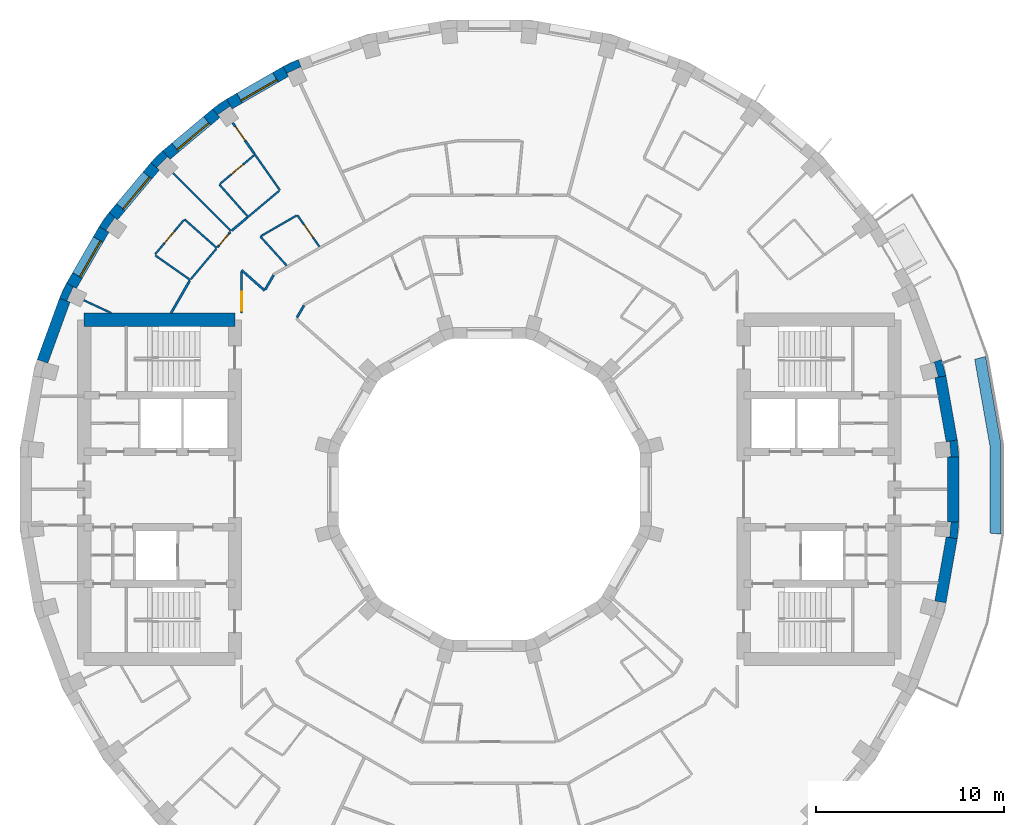
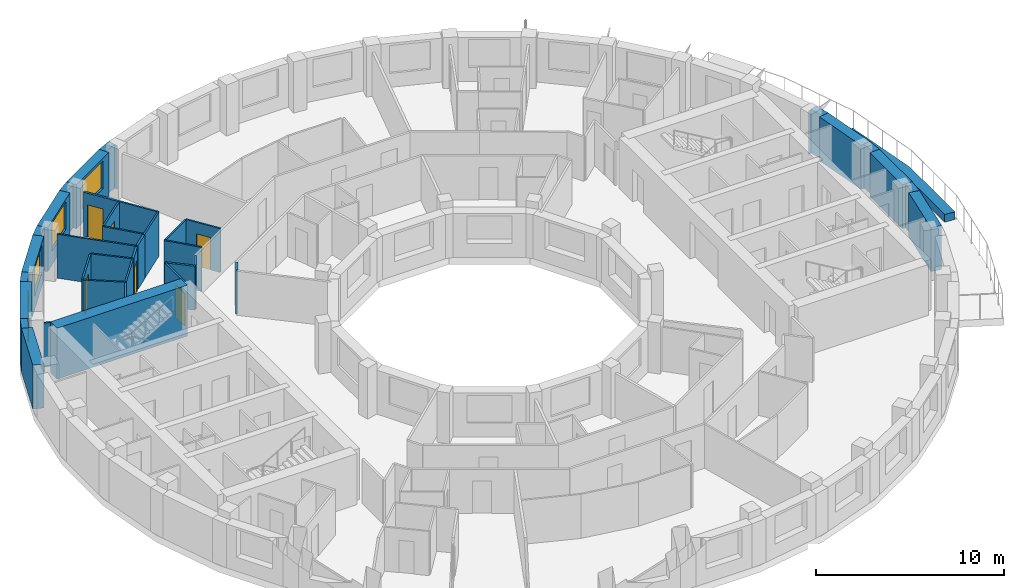
# One storey, part 7 of 11: 39 walls, 6 doors, 4 windows, 10 openings.
"""IFC4 building model written with IfcOpenShell, lengths in metres."""

from ifc_helpers import new_model, si_unit, direction, frame, frame_2d, origin, place, context, subcontext, project, spatial, polyline, rectangle, outline, extrude, material, layer, layer_set, type_object, element, fill, save


model = new_model("IFC4")

# Units and contexts
model_context = context("Model", 3, precision=1e-05, world=origin(), true_north=direction((0.0, 1.0)))
body_context = subcontext(model_context, "Body", "Model", "MODEL_VIEW")
ifc_project = project(units=[si_unit("LENGTHUNIT", "METRE"), si_unit("AREAUNIT", "SQUARE_METRE"), si_unit("VOLUMEUNIT", "CUBIC_METRE"), si_unit("PLANEANGLEUNIT", "RADIAN"), si_unit("MASSUNIT", "GRAM", prefix="KILO")], contexts=[model_context])

# Site, building, storey
site_placement = place(None, origin())
site = spatial("IfcSite", under=ifc_project, at=site_placement, CompositionType="ELEMENT")
building_placement = place(site_placement, origin())
building = spatial("IfcBuilding", under=site, at=building_placement, Name="Saqina Gate Tower", CompositionType="ELEMENT")
storey_placement = place(building_placement, frame((0.0, 0.0, 187.199951171875)))
storey = spatial("IfcBuildingStorey", under=building, at=storey_placement, Name="L53", CompositionType="ELEMENT", Elevation=187.199951171875)

# Walls
ifc_material_1 = material(Name="Brick masonry (buff)", Category="masonry")
wall_type_1 = type_object("IfcWallType", Name="BRICK PIER COPING BUFF", PredefinedType="SOLIDWALL", material=ifc_material_1)
wall_1_placement = place(storey_placement, origin())
element("IfcWall", 1, at=wall_1_placement, inside=storey, type_object=wall_type_1, Name="Pier cap L53 column 1", PredefinedType="SOLIDWALL", context=body_context, shape_type="SweptSolid", body=[
    extrude(outline(polyline([(24.90478515625, 1.724853515625), (24.825927734375, 2.6259765625), (24.235107421875, 2.521728515625), (24.421630859375, 2.5380859375), (24.491455078125, 1.7412109375), (24.304931640625, 1.724853515625), (24.90478515625, 1.724853515625)])), origin(), (0.0, 0.0, 1.0), 2.85009765625),
])
wall_2_placement = place(storey_placement, origin())
element("IfcWall", 2, at=wall_2_placement, inside=storey, type_object=wall_type_1, Name="Pier cap L53 column 2", PredefinedType="SOLIDWALL", context=body_context, shape_type="SweptSolid", body=[
    extrude(outline(polyline([(24.22705078125, 6.0234375), (23.992919921875, 6.897216796875), (23.428955078125, 6.69189453125), (23.610107421875, 6.740478515625), (23.81689453125, 5.967529296875), (23.635986328125, 5.919189453125), (24.22705078125, 6.0234375)])), origin(), (0.0, 0.0, 1.0), 2.85009765625),
])
wall_3_placement = place(storey_placement, origin())
element("IfcWall", 3, at=wall_3_placement, inside=storey, type_object=wall_type_1, Name="Pier cap L53 column 12", PredefinedType="SOLIDWALL", context=body_context, shape_type="SweptSolid", body=[
    extrude(outline(polyline([(-10.958740234375, 22.4306640625), (-10.65869140625, 21.9111328125), (-10.73779296875, 22.080810546875), (-10.0126953125, 22.4189453125), (-9.93359375, 22.249267578125), (-10.138916015625, 22.81298828125), (-10.958740234375, 22.4306640625)])), origin(), (0.0, 0.0, 1.0), 2.85009765625),
])
wall_4_placement = place(storey_placement, origin())
element("IfcWall", 4, at=wall_4_placement, inside=storey, type_object=wall_type_1, Name="Pier cap L53 column 13", PredefinedType="SOLIDWALL", context=body_context, shape_type="SweptSolid", body=[
    extrude(outline(polyline([(-13.9462890625, 20.705810546875), (-14.687255859375, 20.18701171875), (-14.301513671875, 19.727294921875), (-14.408935546875, 19.880859375), (-13.753662109375, 20.339599609375), (-13.646240234375, 20.186279296875), (-13.9462890625, 20.705810546875)])), origin(), (0.0, 0.0, 1.0), 2.85009765625),
])
wall_5_placement = place(storey_placement, origin())
element("IfcWall", 5, at=wall_5_placement, inside=storey, type_object=wall_type_1, Name="Pier cap L53 column 14", PredefinedType="SOLIDWALL", context=body_context, shape_type="SweptSolid", body=[
    extrude(outline(polyline([(-17.969482421875, 17.329833984375), (-17.510009765625, 16.944091796875), (-17.642333984375, 17.07666015625), (-17.07666015625, 17.642333984375), (-16.944091796875, 17.510009765625), (-17.329833984375, 17.969482421875), (-17.969482421875, 17.329833984375)])), origin(), (0.0, 0.0, 1.0), 2.85009765625),
])
wall_6_placement = place(storey_placement, origin())
element("IfcWall", 6, at=wall_6_placement, inside=storey, type_object=wall_type_1, Name="Pier cap L53 column 15", PredefinedType="SOLIDWALL", context=body_context, shape_type="SweptSolid", body=[
    extrude(outline(polyline([(-20.18701171875, 14.687255859375), (-20.705810546875, 13.9462890625), (-20.186279296875, 13.646240234375), (-20.339599609375, 13.753662109375), (-19.880859375, 14.408935546875), (-19.727294921875, 14.301513671875), (-20.18701171875, 14.687255859375)])), origin(), (0.0, 0.0, 1.0), 2.85009765625),
])
wall_7_placement = place(storey_placement, origin())
element("IfcWall", 7, at=wall_7_placement, inside=storey, type_object=wall_type_1, Name="Pier cap L53 column 16", PredefinedType="SOLIDWALL", context=body_context, shape_type="SweptSolid", body=[
    extrude(outline(polyline([(-22.81298828125, 10.138916015625), (-22.249267578125, 9.93359375), (-22.4189453125, 10.0126953125), (-22.080810546875, 10.73779296875), (-21.9111328125, 10.65869140625), (-22.4306640625, 10.958740234375), (-22.81298828125, 10.138916015625)])), origin(), (0.0, 0.0, 1.0), 2.85009765625),
])
wall_8_placement = place(storey_placement, origin())
element("IfcWall", 8, at=wall_8_placement, inside=storey, type_object=wall_type_1, Name="Pier cap L53 column 36", PredefinedType="SOLIDWALL", context=body_context, shape_type="SweptSolid", body=[
    extrude(outline(polyline([(24.825927734375, -2.6259765625), (24.90478515625, -1.724853515625), (24.304931640625, -1.724853515625), (24.491455078125, -1.7412109375), (24.421630859375, -2.5380859375), (24.235107421875, -2.521728515625), (24.825927734375, -2.6259765625)])), origin(), (0.0, 0.0, 1.0), 2.85009765625),
])

# Wall, opening, window
ifc_material_2 = material(Name="Brick masonry (buff)", Category="masonry")
ifc_layer_1 = layer(ifc_material_2, 0.60009765625)
ifc_layer_set_1 = layer_set([ifc_layer_1], Name="FW-BRICK-BUFF")
wall_type_2 = type_object("IfcWallType", Name="FW-BRICK-BUFF", PredefinedType="SOLIDWALL", material=ifc_layer_set_1)
wall_9_placement = place(storey_placement, frame((-10.80859375, 22.1708984375, 0.0), z_axis=(0.0, 0.0, 1.0), x_axis=(-0.86602648383, -0.499998129301, 0.0)))
wall_9 = element("IfcWall", 9, at=wall_9_placement, inside=storey, type_object=wall_type_2, Name="Facade wall L53 facet 12", PredefinedType="SOLIDWALL", context=body_context, shape_type="SweptSolid", body=[
    extrude(rectangle(XDim=3.44970703125, YDim=0.60009765625, at=frame_2d((1.724853515625, 0.0))), origin(), (0.0, 0.0, 1.0), 2.85009765625),
])
opening_1_placement = place(wall_9_placement, frame((0.625, 0.0, 0.89990234375)))
opening_1 = element("IfcOpeningElement", 10, at=opening_1_placement, cuts=wall_9, Name="Opening G15-W09", PredefinedType="OPENING", context=body_context, shape_type="SweptSolid", body=[
    extrude(rectangle(XDim=2.199951171875, YDim=1.800048828125, at=frame_2d((1.10009765625, 0.89990234375))), frame((0.0, 0.31201171875, 0.0), z_axis=(0.0, -1.0, 0.0), x_axis=(1.0, 0.0, 0.0)), (0.0, 0.0, 1.0), 0.6240234375),
])
ifc_material_3 = material(Name="Aluminium glazing", Category="aluminium")
window_type = type_object("IfcWindowType", Name="WN-C", PartitioningType="SINGLE_PANEL", PredefinedType="WINDOW", material=ifc_material_3)
window_1_placement = place(opening_1_placement, origin())
window_1 = element("IfcWindow", 11, at=window_1_placement, inside=storey, type_object=window_type, Name="Window L53 facet 12", OverallHeight=1.800048828125, OverallWidth=2.199951171875, PartitioningType="SINGLE_PANEL", PredefinedType="WINDOW", context=body_context, shape_type="SweptSolid", body=[
    extrude(rectangle(XDim=2.199951171875, YDim=1.800048828125, at=frame_2d((1.10009765625, 0.89990234375))), frame((0.0, 0.179931640625, 0.0), z_axis=(0.0, -1.0, 0.0), x_axis=(1.0, 0.0, 0.0)), (0.0, 0.0, 1.0), 0.06005859375),
])
fill(opening_1, window_1)

wall_10_placement = place(storey_placement, frame((-14.494384765625, 19.95703125, 0.0), z_axis=(0.0, 0.0, 1.0), x_axis=(-0.766058884809, -0.642770398358, 0.0)))
wall_10 = element("IfcWall", 12, at=wall_10_placement, inside=storey, type_object=wall_type_2, Name="Facade wall L53 facet 13", PredefinedType="SOLIDWALL", context=body_context, shape_type="SweptSolid", body=[
    extrude(rectangle(XDim=3.449462890625, YDim=0.60009765625, at=frame_2d((1.724609375, 0.0))), origin(), (0.0, 0.0, 1.0), 2.85009765625),
])
opening_2_placement = place(wall_10_placement, frame((0.625, 0.0, 0.89990234375)))
opening_2 = element("IfcOpeningElement", 13, at=opening_2_placement, cuts=wall_10, Name="Opening G15-W10", PredefinedType="OPENING", context=body_context, shape_type="SweptSolid", body=[
    extrude(rectangle(XDim=2.199951171875, YDim=1.800048828125, at=frame_2d((1.10009765625, 0.89990234375))), frame((0.0, 0.31201171875, 0.0), z_axis=(0.0, -1.0, 0.0), x_axis=(1.0, 0.0, 0.0)), (0.0, 0.0, 1.0), 0.6240234375),
])
window_2_placement = place(opening_2_placement, origin())
window_2 = element("IfcWindow", 14, at=window_2_placement, inside=storey, type_object=window_type, Name="Window L53 facet 13", OverallHeight=1.800048828125, OverallWidth=2.199951171875, PartitioningType="SINGLE_PANEL", PredefinedType="WINDOW", context=body_context, shape_type="SweptSolid", body=[
    extrude(rectangle(XDim=2.199951171875, YDim=1.800048828125, at=frame_2d((1.10009765625, 0.89990234375))), frame((0.0, 0.179931640625, 0.0), z_axis=(0.0, -1.0, 0.0), x_axis=(1.0, 0.0, 0.0)), (0.0, 0.0, 1.0), 0.06005859375),
])
fill(opening_2, window_2)

wall_11_placement = place(storey_placement, frame((-17.73974609375, 17.136962890625, 0.0), z_axis=(0.0, 0.0, 1.0), x_axis=(-0.642770398358, -0.766058884809, 0.0)))
wall_11 = element("IfcWall", 15, at=wall_11_placement, inside=storey, type_object=wall_type_2, Name="Facade wall L53 facet 14", PredefinedType="SOLIDWALL", context=body_context, shape_type="SweptSolid", body=[
    extrude(rectangle(XDim=3.449462890625, YDim=0.60009765625, at=frame_2d((1.724609375, 0.0))), origin(), (0.0, 0.0, 1.0), 2.85009765625),
])
opening_3_placement = place(wall_11_placement, frame((0.625, 0.0, 0.89990234375)))
opening_3 = element("IfcOpeningElement", 16, at=opening_3_placement, cuts=wall_11, Name="Opening G15-W11", PredefinedType="OPENING", context=body_context, shape_type="SweptSolid", body=[
    extrude(rectangle(XDim=2.199951171875, YDim=1.800048828125, at=frame_2d((1.10009765625, 0.89990234375))), frame((0.0, 0.31201171875, 0.0), z_axis=(0.0, -1.0, 0.0), x_axis=(1.0, 0.0, 0.0)), (0.0, 0.0, 1.0), 0.6240234375),
])
window_3_placement = place(opening_3_placement, origin())
window_3 = element("IfcWindow", 17, at=window_3_placement, inside=storey, type_object=window_type, Name="Window L53 facet 14", OverallHeight=1.800048828125, OverallWidth=2.199951171875, PartitioningType="SINGLE_PANEL", PredefinedType="WINDOW", context=body_context, shape_type="SweptSolid", body=[
    extrude(rectangle(XDim=2.199951171875, YDim=1.800048828125, at=frame_2d((1.10009765625, 0.89990234375))), frame((0.0, 0.179931640625, 0.0), z_axis=(0.0, -1.0, 0.0), x_axis=(1.0, 0.0, 0.0)), (0.0, 0.0, 1.0), 0.06005859375),
])
fill(opening_3, window_3)

wall_12_placement = place(storey_placement, frame((-20.446044921875, 13.796142578125, 0.0), z_axis=(0.0, 0.0, 1.0), x_axis=(-0.499998129301, -0.86602648383, 0.0)))
wall_12 = element("IfcWall", 18, at=wall_12_placement, inside=storey, type_object=wall_type_2, Name="Facade wall L53 facet 15", PredefinedType="SOLIDWALL", context=body_context, shape_type="SweptSolid", body=[
    extrude(rectangle(XDim=3.44970703125, YDim=0.60009765625, at=frame_2d((1.724853515625, 0.0))), origin(), (0.0, 0.0, 1.0), 2.85009765625),
])
opening_4_placement = place(wall_12_placement, frame((0.625, 0.0, 0.89990234375)))
opening_4 = element("IfcOpeningElement", 19, at=opening_4_placement, cuts=wall_12, Name="Opening G15-W12", PredefinedType="OPENING", context=body_context, shape_type="SweptSolid", body=[
    extrude(rectangle(XDim=2.199951171875, YDim=1.800048828125, at=frame_2d((1.10009765625, 0.89990234375))), frame((0.0, 0.31201171875, 0.0), z_axis=(0.0, -1.0, 0.0), x_axis=(1.0, 0.0, 0.0)), (0.0, 0.0, 1.0), 0.6240234375),
])
window_4_placement = place(opening_4_placement, origin())
window_4 = element("IfcWindow", 20, at=window_4_placement, inside=storey, type_object=window_type, Name="Window L53 facet 15", OverallHeight=1.800048828125, OverallWidth=2.199951171875, PartitioningType="SINGLE_PANEL", PredefinedType="WINDOW", context=body_context, shape_type="SweptSolid", body=[
    extrude(rectangle(XDim=2.199951171875, YDim=1.800048828125, at=frame_2d((1.10009765625, 0.89990234375))), frame((0.0, 0.179931640625, 0.0), z_axis=(0.0, -1.0, 0.0), x_axis=(1.0, 0.0, 0.0)), (0.0, 0.0, 1.0), 0.06005859375),
])
fill(opening_4, window_4)

# Walls
ifc_material_4 = material(Name="Glazed ceramic tile", Category="ceramic")
ifc_layer_2 = layer(ifc_material_4, 0.60009765625)
ifc_layer_set_2 = layer_set([ifc_layer_2], Name="FW-TILE")
wall_type_3 = type_object("IfcWallType", Name="FW-TILE", PredefinedType="SOLIDWALL", material=ifc_layer_set_2)
for number, where, z_axis, x_axis, name in (
    (21, (-22.531005859375, 10.0361328125, 0.0), (0.0, 0.0, 1.0), (-0.342032843455, -0.93968799822, 0.0), "Facade wall L53 facet 16"),
    (22, (24.60498046875, -1.724853515625, 0.0), (0.0, 0.0, 1.0), (0.0, 1.0, 0.0), "Facade wall L53 facet 36"),
):
    element("IfcWall", number, at=place(storey_placement, frame(where, z_axis=z_axis, x_axis=x_axis)), inside=storey, type_object=wall_type_3, Name=name, PredefinedType="SOLIDWALL", context=body_context, shape_type="SweptSolid", body=[
        extrude(rectangle(XDim=3.44970703125, YDim=0.60009765625, at=frame_2d((1.724853515625, 0.0))), origin(), (0.0, 0.0, 1.0), 2.85009765625),
    ])
ifc_material_5 = material(Name="Glazed ceramic tile (dark blue)", Category="ceramic")
ifc_layer_3 = layer(ifc_material_5, 0.60009765625)
ifc_layer_set_3 = layer_set([ifc_layer_3], Name="FW-TILE-CB")
wall_type_4 = type_object("IfcWallType", Name="FW-TILE-CB", PredefinedType="SOLIDWALL", material=ifc_layer_set_3)
wall_13_placement = place(storey_placement, frame((24.530517578125, 2.573974609375, 0.0), z_axis=(0.0, 0.0, 1.0), x_axis=(-0.173607684551, 0.984814892183, 0.0)))
element("IfcWall", 23, at=wall_13_placement, inside=storey, type_object=wall_type_4, Name="Facade wall L53 facet 1", PredefinedType="SOLIDWALL", context=body_context, shape_type="SweptSolid", body=[
    extrude(rectangle(XDim=3.44970703125, YDim=0.60009765625, at=frame_2d((1.724853515625, 0.0))), origin(), (0.0, 0.0, 1.0), 2.85009765625),
])
ifc_material_6 = material(Name="Glazed ceramic tile (white)", Category="ceramic")
ifc_layer_4 = layer(ifc_material_6, 0.60009765625)
ifc_layer_set_4 = layer_set([ifc_layer_4], Name="FW-TILE-WH")
wall_type_5 = type_object("IfcWallType", Name="FW-TILE-WH", PredefinedType="SOLIDWALL", material=ifc_layer_set_4)
wall_14_placement = place(storey_placement, frame((23.931640625, -5.97119140625, 0.0), z_axis=(0.0, 0.0, 1.0), x_axis=(0.173607684551, 0.984814892183, 0.0)))
element("IfcWall", 24, at=wall_14_placement, inside=storey, type_object=wall_type_5, Name="Facade wall L53 facet 35", PredefinedType="SOLIDWALL", context=body_context, shape_type="SweptSolid", body=[
    extrude(rectangle(XDim=3.44970703125, YDim=0.60009765625, at=frame_2d((1.724853515625, 0.0))), origin(), (0.0, 0.0, 1.0), 2.85009765625),
])
ifc_material_7 = material(Name="Gypsum board on steel studs, 100 mm", Category="steel")
ifc_layer_5 = layer(ifc_material_7, 0.10009765625)
ifc_layer_set_5 = layer_set([ifc_layer_5], Name="PARTITION 100")
wall_type_6 = type_object("IfcWallType", Name="PARTITION 100", PredefinedType="PARTITIONING", material=ifc_layer_set_5)
wall_15_placement = place(storey_placement, frame((-12.4677734375, 17.805908203125, 0.0), z_axis=(0.0, 0.0, 1.0), x_axis=(0.573594339991, -0.819139507734, 0.0)))
element("IfcWall", 25, at=wall_15_placement, inside=storey, type_object=wall_type_6, Name="PARTITION PW3-08", PredefinedType="PARTITIONING", context=body_context, shape_type="SweptSolid", body=[
    extrude(rectangle(XDim=2.3583984375, YDim=0.10009765625, at=frame_2d((1.17919921875, 0.0))), origin(), (0.0, 0.0, 1.0), 2.85009765625),
])

# Wall, opening, door
wall_16_placement = place(storey_placement, frame((-10.19091796875, 14.553955078125, 0.0), z_axis=(0.0, 0.0, 1.0), x_axis=(0.573534545192, -0.819181375198, 0.0)))
wall_16 = element("IfcWall", 26, at=wall_16_placement, inside=storey, type_object=wall_type_6, Name="PARTITION PW3-09", PredefinedType="PARTITIONING", context=body_context, shape_type="SweptSolid", body=[
    extrude(rectangle(XDim=2.04248046875, YDim=0.10009765625, at=frame_2d((1.021240234375, 0.0))), origin(), (0.0, 0.0, 1.0), 2.85009765625),
])
opening_5_placement = place(wall_16_placement, frame((0.654052734375, 0.0, 0.0)))
opening_5 = element("IfcOpeningElement", 27, at=opening_5_placement, cuts=wall_16, Name="Opening G15-D16", PredefinedType="OPENING", context=body_context, shape_type="SweptSolid", body=[
    extrude(rectangle(XDim=0.800048828125, YDim=2.10009765625, at=frame_2d((0.39990234375, 1.050048828125))), frame((0.0, 0.06201171875, 0.0), z_axis=(0.0, -1.0, 0.0), x_axis=(1.0, 0.0, 0.0)), (0.0, 0.0, 1.0), 0.1240234375),
])
ifc_material_8 = material(Name="Timber door leaf, 800 mm", Category="wood")
door_type_1 = type_object("IfcDoorType", Name="DOOR 800 TIMBER", OperationType="SINGLE_SWING_LEFT", PredefinedType="DOOR", material=ifc_material_8)
door_1_placement = place(opening_5_placement, origin())
door_1 = element("IfcDoor", 28, at=door_1_placement, inside=storey, type_object=door_type_1, Name="DOOR G15-D16", OperationType="SINGLE_SWING_RIGHT", OverallHeight=2.10009765625, OverallWidth=0.800048828125, PredefinedType="DOOR", context=body_context, shape_type="SweptSolid", body=[
    extrude(rectangle(XDim=0.800048828125, YDim=2.10009765625, at=frame_2d((0.39990234375, 1.050048828125))), frame((0.0, 0.02490234375, 0.0), z_axis=(0.0, -1.0, 0.0), x_axis=(1.0, 0.0, 0.0)), (0.0, 0.0, 1.0), 0.050048828125),
])
fill(opening_5, door_1)

# Walls
wall_17_placement = place(storey_placement, frame((-14.3291015625, 16.178955078125, 0.0), z_axis=(0.0, 0.0, 1.0), x_axis=(0.663042232896, -0.748581991098, 0.0)))
element("IfcWall", 29, at=wall_17_placement, inside=storey, type_object=wall_type_6, Name="PARTITION PW3-14", PredefinedType="PARTITIONING", context=body_context, shape_type="SweptSolid", body=[
    extrude(rectangle(XDim=2.237548828125, YDim=0.10009765625, at=frame_2d((1.11865234375, 0.0))), origin(), (0.0, 0.0, 1.0), 2.85009765625),
])
wall_18_placement = place(storey_placement, frame((-12.154296875, 13.420654296875, 0.0), z_axis=(0.0, 0.0, 1.0), x_axis=(0.670986897281, -0.741469206156, 0.0)))
element("IfcWall", 30, at=wall_18_placement, inside=storey, type_object=wall_type_6, Name="PARTITION PW3-15", PredefinedType="PARTITIONING", context=body_context, shape_type="SweptSolid", body=[
    extrude(rectangle(XDim=2.085205078125, YDim=0.10009765625, at=frame_2d((1.04248046875, 0.0))), origin(), (0.0, 0.0, 1.0), 2.85009765625),
])
wall_19_placement = place(storey_placement, frame((-16.78662109375, 16.78662109375, 0.0), z_axis=(0.0, 0.0, 1.0), x_axis=(0.707106781187, -0.707106781187, 0.0)))
element("IfcWall", 31, at=wall_19_placement, inside=storey, type_object=wall_type_6, Name="PARTITION PW3-16", PredefinedType="PARTITIONING", context=body_context, shape_type="SweptSolid", body=[
    extrude(rectangle(XDim=4.361083984375, YDim=0.10009765625, at=frame_2d((2.1806640625, 0.0))), origin(), (0.0, 0.0, 1.0), 2.85009765625),
])
wall_20_placement = place(storey_placement, frame((-16.178955078125, 14.3291015625, 0.0), z_axis=(0.0, 0.0, 1.0), x_axis=(0.74859119091, -0.663031846061, 0.0)))
element("IfcWall", 32, at=wall_20_placement, inside=storey, type_object=wall_type_6, Name="PARTITION PW3-18", PredefinedType="PARTITIONING", context=body_context, shape_type="SweptSolid", body=[
    extrude(rectangle(XDim=2.2998046875, YDim=0.10009765625, at=frame_2d((1.14990234375, 0.0))), origin(), (0.0, 0.0, 1.0), 2.85009765625),
])
wall_21_placement = place(storey_placement, frame((-17.721923828125, 12.408935546875, 0.0), z_axis=(0.0, 0.0, 1.0), x_axis=(0.819165747117, -0.573556866187, 0.0)))
element("IfcWall", 33, at=wall_21_placement, inside=storey, type_object=wall_type_6, Name="PARTITION PW3-21", PredefinedType="PARTITIONING", context=body_context, shape_type="SweptSolid", body=[
    extrude(rectangle(XDim=2.25341796875, YDim=0.10009765625, at=frame_2d((1.126708984375, 0.0))), origin(), (0.0, 0.0, 1.0), 2.85009765625),
])
wall_22_placement = place(storey_placement, frame((-21.515625, 10.033203125, 0.0), z_axis=(0.0, 0.0, 1.0), x_axis=(0.906055596822, -0.423158664648, 0.0)))
element("IfcWall", 34, at=wall_22_placement, inside=storey, type_object=wall_type_6, Name="PARTITION PW3-28", PredefinedType="PARTITIONING", context=body_context, shape_type="SweptSolid", body=[
    extrude(rectangle(XDim=1.6142578125, YDim=0.10009765625, at=frame_2d((0.80712890625, 0.0))), origin(), (0.0, 0.0, 1.0), 2.85009765625),
])
wall_23_placement = place(storey_placement, frame((-12.109619140625, 13.446044921875, 0.0), z_axis=(0.0, 0.0, 1.0), x_axis=(0.865956302405, 0.500119668004, 0.0)))
element("IfcWall", 35, at=wall_23_placement, inside=storey, type_object=wall_type_6, Name="PARTITION PW3-42", PredefinedType="PARTITIONING", context=body_context, shape_type="SweptSolid", body=[
    extrude(rectangle(XDim=2.16357421875, YDim=0.10009765625, at=frame_2d((1.081787109375, 0.0))), origin(), (0.0, 0.0, 1.0), 2.85009765625),
])
wall_24_placement = place(storey_placement, frame((-12.84228515625, 14.4248046875, 0.0), z_axis=(0.0, 0.0, 1.0), x_axis=(0.766089344118, 0.642734094964, 0.0)))
element("IfcWall", 36, at=wall_24_placement, inside=storey, type_object=wall_type_6, Name="PARTITION PW3-45", PredefinedType="PARTITIONING", context=body_context, shape_type="SweptSolid", body=[
    extrude(rectangle(XDim=2.200927734375, YDim=0.10009765625, at=frame_2d((1.1005859375, 0.0))), origin(), (0.0, 0.0, 1.0), 2.85009765625),
])

# Wall, opening, door
wall_25_placement = place(storey_placement, frame((-14.290771484375, 16.211181640625, 0.0), z_axis=(0.0, 0.0, 1.0), x_axis=(0.766049914327, 0.642781089299, 0.0)))
wall_25 = element("IfcWall", 37, at=wall_25_placement, inside=storey, type_object=wall_type_6, Name="PARTITION PW3-46", PredefinedType="PARTITIONING", context=body_context, shape_type="SweptSolid", body=[
    extrude(rectangle(XDim=2.35498046875, YDim=0.10009765625, at=frame_2d((1.177490234375, 0.0))), origin(), (0.0, 0.0, 1.0), 2.85009765625),
])
opening_6_placement = place(wall_25_placement, frame((0.78369140625, 0.0, 0.0)))
opening_6 = element("IfcOpeningElement", 38, at=opening_6_placement, cuts=wall_25, Name="Opening G15-D18", PredefinedType="OPENING", context=body_context, shape_type="SweptSolid", body=[
    extrude(rectangle(XDim=0.800048828125, YDim=2.10009765625, at=frame_2d((0.39990234375, 1.050048828125))), frame((0.0, 0.06201171875, 0.0), z_axis=(0.0, -1.0, 0.0), x_axis=(1.0, 0.0, 0.0)), (0.0, 0.0, 1.0), 0.1240234375),
])
door_2_placement = place(opening_6_placement, origin())
door_2 = element("IfcDoor", 39, at=door_2_placement, inside=storey, type_object=door_type_1, Name="DOOR G15-D18", OperationType="SINGLE_SWING_RIGHT", OverallHeight=2.10009765625, OverallWidth=0.800048828125, PredefinedType="DOOR", context=body_context, shape_type="SweptSolid", body=[
    extrude(rectangle(XDim=0.800048828125, YDim=2.10009765625, at=frame_2d((0.39990234375, 1.050048828125))), frame((0.0, 0.02490234375, 0.0), z_axis=(0.0, -1.0, 0.0), x_axis=(1.0, 0.0, 0.0)), (0.0, 0.0, 1.0), 0.050048828125),
])
fill(opening_6, door_2)

# Wall
wall_26_placement = place(storey_placement, frame((-15.841796875, 11.1533203125, 0.0), z_axis=(0.0, 0.0, 1.0), x_axis=(0.642759429892, 0.766068087891, 0.0)))
element("IfcWall", 40, at=wall_26_placement, inside=storey, type_object=wall_type_6, Name="PARTITION PW3-51", PredefinedType="PARTITIONING", context=body_context, shape_type="SweptSolid", body=[
    extrude(rectangle(XDim=2.104736328125, YDim=0.10009765625, at=frame_2d((1.05224609375, 0.0))), origin(), (0.0, 0.0, 1.0), 2.85009765625),
])

# Wall, opening, door
wall_27_placement = place(storey_placement, frame((-17.73291015625, 12.477294921875, 0.0), z_axis=(0.0, 0.0, 1.0), x_axis=(0.64278038415, 0.766050506006, 0.0)))
wall_27 = element("IfcWall", 41, at=wall_27_placement, inside=storey, type_object=wall_type_6, Name="PARTITION PW3-52", PredefinedType="PARTITIONING", context=body_context, shape_type="SweptSolid", body=[
    extrude(rectangle(XDim=2.36474609375, YDim=0.10009765625, at=frame_2d((1.182373046875, 0.0))), origin(), (0.0, 0.0, 1.0), 2.85009765625),
])
opening_7_placement = place(wall_27_placement, frame((0.782958984375, 0.0, 0.0)))
opening_7 = element("IfcOpeningElement", 42, at=opening_7_placement, cuts=wall_27, Name="Opening G15-D20", PredefinedType="OPENING", context=body_context, shape_type="SweptSolid", body=[
    extrude(rectangle(XDim=0.800048828125, YDim=2.10009765625, at=frame_2d((0.39990234375, 1.050048828125))), frame((0.0, 0.06201171875, 0.0), z_axis=(0.0, -1.0, 0.0), x_axis=(1.0, 0.0, 0.0)), (0.0, 0.0, 1.0), 0.1240234375),
])
door_3_placement = place(opening_7_placement, origin())
door_3 = element("IfcDoor", 43, at=door_3_placement, inside=storey, type_object=door_type_1, Name="DOOR G15-D20", OperationType="SINGLE_SWING_RIGHT", OverallHeight=2.10009765625, OverallWidth=0.800048828125, PredefinedType="DOOR", context=body_context, shape_type="SweptSolid", body=[
    extrude(rectangle(XDim=0.800048828125, YDim=2.10009765625, at=frame_2d((0.39990234375, 1.050048828125))), frame((0.0, 0.02490234375, 0.0), z_axis=(0.0, -1.0, 0.0), x_axis=(1.0, 0.0, 0.0)), (0.0, 0.0, 1.0), 0.050048828125),
])
fill(opening_7, door_3)

ifc_material_9 = material(Name="Gypsum board on steel studs, 125 mm, fire rated", Category="steel")
ifc_layer_6 = layer(ifc_material_9, 0.125)
ifc_layer_set_6 = layer_set([ifc_layer_6], Name="PARTITION EI 30 125")
wall_type_7 = type_object("IfcWallType", Name="PARTITION EI 30 125", PredefinedType="PARTITIONING", material=ifc_layer_set_6)
wall_28_placement = place(storey_placement, frame((-13.616943359375, 19.446533203125, 0.0), z_axis=(0.0, 0.0, 1.0), x_axis=(0.573568678046, -0.819157476658, 0.0)))
wall_28 = element("IfcWall", 44, at=wall_28_placement, inside=storey, type_object=wall_type_7, Name="PARTITION PW1-06", PredefinedType="PARTITIONING", context=body_context, shape_type="SweptSolid", body=[
    extrude(rectangle(XDim=2.003173828125, YDim=0.125, at=frame_2d((1.00146484375, 0.0))), origin(), (0.0, 0.0, 1.0), 2.85009765625),
])
opening_8_placement = place(wall_28_placement, frame((0.247802734375, 0.0, 0.0)))
opening_8 = element("IfcOpeningElement", 45, at=opening_8_placement, cuts=wall_28, Name="Opening G15-D17", PredefinedType="OPENING", context=body_context, shape_type="SweptSolid", body=[
    extrude(rectangle(XDim=0.89990234375, YDim=2.10009765625, at=frame_2d((0.449951171875, 1.050048828125))), frame((0.0, 0.074462890625, 0.0), z_axis=(0.0, -1.0, 0.0), x_axis=(1.0, 0.0, 0.0)), (0.0, 0.0, 1.0), 0.14892578125),
])
ifc_material_10 = material(Name="Fire door leaf EI 30, 900 mm")
door_type_2 = type_object("IfcDoorType", Name="DOOR 900 EI 30", OperationType="SINGLE_SWING_LEFT", PredefinedType="DOOR", material=ifc_material_10)
door_4_placement = place(opening_8_placement, origin())
door_4 = element("IfcDoor", 46, at=door_4_placement, inside=storey, type_object=door_type_2, Name="DOOR G15-D17", OperationType="SINGLE_SWING_LEFT", OverallHeight=2.10009765625, OverallWidth=0.89990234375, PredefinedType="DOOR", context=body_context, shape_type="SweptSolid", body=[
    extrude(rectangle(XDim=0.89990234375, YDim=2.10009765625, at=frame_2d((0.449951171875, 1.050048828125))), frame((0.0, 0.02490234375, 0.0), z_axis=(0.0, -1.0, 0.0), x_axis=(1.0, 0.0, 0.0)), (0.0, 0.0, 1.0), 0.050048828125),
])
fill(opening_8, door_4)

# Walls
wall_29_placement = place(storey_placement, frame((-13.14697265625, 11.63134765625, 0.0), z_axis=(0.0, 0.0, 1.0), x_axis=(0.748973743587, -0.66259967659, 0.0)))
element("IfcWall", 47, at=wall_29_placement, inside=storey, type_object=wall_type_7, Name="PARTITION PW1-09", PredefinedType="PARTITIONING", context=body_context, shape_type="SweptSolid", body=[
    extrude(rectangle(XDim=1.6337890625, YDim=0.125, at=frame_2d((0.81689453125, 0.0))), origin(), (0.0, 0.0, 1.0), 2.85009765625),
])
wall_30_placement = place(storey_placement, frame((-13.66259765625, 13.73681640625, 0.0), z_axis=(0.0, 0.0, 1.0), x_axis=(0.766198786717, 0.642603625288, 0.0)))
element("IfcWall", 48, at=wall_30_placement, inside=storey, type_object=wall_type_7, Name="PARTITION PW1-29", PredefinedType="PARTITIONING", context=body_context, shape_type="SweptSolid", body=[
    extrude(rectangle(XDim=1.070556640625, YDim=0.125, at=frame_2d((0.53515625, 0.0))), origin(), (0.0, 0.0, 1.0), 2.85009765625),
])

# Wall, opening, door
wall_31_placement = place(storey_placement, frame((-14.424072265625, 12.843017578125, 0.0), z_axis=(0.0, 0.0, 1.0), x_axis=(0.642498544186, 0.766286904964, 0.0)))
wall_31 = element("IfcWall", 49, at=wall_31_placement, inside=storey, type_object=wall_type_7, Name="PARTITION PW1-36", PredefinedType="PARTITIONING", context=body_context, shape_type="SweptSolid", body=[
    extrude(rectangle(XDim=1.05712890625, YDim=0.125, at=frame_2d((0.528564453125, 0.0))), origin(), (0.0, 0.0, 1.0), 2.85009765625),
])
opening_9_placement = place(wall_31_placement, frame((0.134765625, 0.0, 0.0)))
opening_9 = element("IfcOpeningElement", 50, at=opening_9_placement, cuts=wall_31, Name="Opening G15-D19", PredefinedType="OPENING", context=body_context, shape_type="SweptSolid", body=[
    extrude(rectangle(XDim=0.800048828125, YDim=2.10009765625, at=frame_2d((0.39990234375, 1.050048828125))), frame((0.0, 0.074462890625, 0.0), z_axis=(0.0, -1.0, 0.0), x_axis=(1.0, 0.0, 0.0)), (0.0, 0.0, 1.0), 0.14892578125),
])
ifc_material_11 = material(Name="Fire door leaf EI 30, 800 mm")
door_type_3 = type_object("IfcDoorType", Name="DOOR 800 EI 30", OperationType="SINGLE_SWING_LEFT", PredefinedType="DOOR", material=ifc_material_11)
door_5_placement = place(opening_9_placement, frame((0.800048828125, 0.0, 0.0), z_axis=(0.0, 0.0, 1.0), x_axis=(-1.0, 0.0, 0.0)))
door_5 = element("IfcDoor", 51, at=door_5_placement, inside=storey, type_object=door_type_3, Name="DOOR G15-D19", OperationType="SINGLE_SWING_LEFT", OverallHeight=2.10009765625, OverallWidth=0.800048828125, PredefinedType="DOOR", context=body_context, shape_type="SweptSolid", body=[
    extrude(rectangle(XDim=0.800048828125, YDim=2.10009765625, at=frame_2d((0.39990234375, 1.050048828125))), frame((0.0, 0.02490234375, 0.0), z_axis=(0.0, -1.0, 0.0), x_axis=(1.0, 0.0, 0.0)), (0.0, 0.0, 1.0), 0.050048828125),
])
fill(opening_9, door_5)

# Walls
wall_32_placement = place(storey_placement, frame((-10.21044921875, 9.115234375, 0.0), z_axis=(0.0, 0.0, 1.0), x_axis=(0.500827895298, 0.86554689029, 0.0)))
element("IfcWall", 52, at=wall_32_placement, inside=storey, type_object=wall_type_7, Name="PARTITION PW1-40", PredefinedType="PARTITIONING", context=body_context, shape_type="SweptSolid", body=[
    extrude(rectangle(XDim=0.739013671875, YDim=0.125, at=frame_2d((0.36962890625, 0.0))), origin(), (0.0, 0.0, 1.0), 2.85009765625),
])
wall_33_placement = place(storey_placement, frame((-11.890625, 10.605224609375, 0.0), z_axis=(0.0, 0.0, 1.0), x_axis=(0.500203519255, 0.865907869998, 0.0)))
element("IfcWall", 53, at=wall_33_placement, inside=storey, type_object=wall_type_7, Name="PARTITION PW1-42", PredefinedType="PARTITIONING", context=body_context, shape_type="SweptSolid", body=[
    extrude(rectangle(XDim=0.878662109375, YDim=0.125, at=frame_2d((0.439453125, 0.0))), origin(), (0.0, 0.0, 1.0), 2.85009765625),
])
wall_34_placement = place(storey_placement, frame((-16.891845703125, 9.35205078125, 0.0), z_axis=(0.0, 0.0, 1.0), x_axis=(0.499683424426, 0.866208101644, 0.0)))
element("IfcWall", 54, at=wall_34_placement, inside=storey, type_object=wall_type_7, Name="PARTITION PW1-43", PredefinedType="PARTITIONING", context=body_context, shape_type="SweptSolid", body=[
    extrude(rectangle(XDim=1.985595703125, YDim=0.125, at=frame_2d((0.99267578125, 0.0))), origin(), (0.0, 0.0, 1.0), 2.85009765625),
])

# Wall, opening, door
wall_35_placement = place(storey_placement, frame((-13.14990234375, 9.35107421875, 0.0), z_axis=(0.0, 0.0, 1.0), x_axis=(0.0, 1.0, 0.0)))
wall_35 = element("IfcWall", 55, at=wall_35_placement, inside=storey, type_object=wall_type_7, Name="PARTITION PW1-48", PredefinedType="PARTITIONING", context=body_context, shape_type="SweptSolid", body=[
    extrude(rectangle(XDim=2.21630859375, YDim=0.125, at=frame_2d((1.108154296875, 0.0))), origin(), (0.0, 0.0, 1.0), 2.85009765625),
])
opening_10_placement = place(wall_35_placement, frame((0.139404296875, 0.0, 0.0)))
opening_10 = element("IfcOpeningElement", 56, at=opening_10_placement, cuts=wall_35, Name="Opening G15-D21", PredefinedType="OPENING", context=body_context, shape_type="SweptSolid", body=[
    extrude(rectangle(XDim=1.0, YDim=2.10009765625, at=frame_2d((0.5, 1.050048828125))), frame((0.0, 0.074462890625, 0.0), z_axis=(0.0, -1.0, 0.0), x_axis=(1.0, 0.0, 0.0)), (0.0, 0.0, 1.0), 0.14892578125),
])
ifc_material_12 = material(Name="Fire door leaf EI 30, 1000 mm")
door_type_4 = type_object("IfcDoorType", Name="DOOR 1000 EI 30", OperationType="SINGLE_SWING_LEFT", PredefinedType="DOOR", material=ifc_material_12)
door_6_placement = place(opening_10_placement, origin())
door_6 = element("IfcDoor", 57, at=door_6_placement, inside=storey, type_object=door_type_4, Name="DOOR G15-D21", OperationType="SINGLE_SWING_LEFT", OverallHeight=2.10009765625, OverallWidth=1.0, PredefinedType="DOOR", context=body_context, shape_type="SweptSolid", body=[
    extrude(rectangle(XDim=1.0, YDim=2.10009765625, at=frame_2d((0.5, 1.050048828125))), frame((0.0, 0.02490234375, 0.0), z_axis=(0.0, -1.0, 0.0), x_axis=(1.0, 0.0, 0.0)), (0.0, 0.0, 1.0), 0.050048828125),
])
fill(opening_10, door_6)

# Walls
ifc_material_13 = material(Name="Brick masonry (red)", Category="masonry")
ifc_layer_7 = layer(ifc_material_13, 0.60009765625)
ifc_layer_set_7 = layer_set([ifc_layer_7], Name="PL-PLANTER")
wall_type_8 = type_object("IfcWallType", Name="PL-PLANTER", PredefinedType="PARAPET", material=ifc_layer_set_7)
wall_36_placement = place(storey_placement, origin())
element("IfcWall", 58, at=wall_36_placement, inside=storey, type_object=wall_type_8, Name="Planter L53", PredefinedType="PARAPET", context=body_context, shape_type="SweptSolid", body=[
    extrude(outline(polyline([(27.15478515625, -2.375732421875), (27.15478515625, 2.375732421875), (26.329833984375, 7.054931640625), (25.748046875, 6.899169921875), (26.554931640625, 2.3232421875), (26.554931640625, -2.3232421875), (27.15478515625, -2.375732421875)])), origin(), (0.0, 0.0, 1.0), 0.5),
])
ifc_material_14 = material(Name="Concrete C60/75", Category="concrete")
ifc_layer_8 = layer(ifc_material_14, 0.699951171875)
ifc_layer_set_8 = layer_set([ifc_layer_8], Name="Concrete C60/75")
wall_type_9 = type_object("IfcWallType", Name="STR-CORE WALL-C-O", PredefinedType="SHEAR", material=ifc_layer_set_8)
wall_37_placement = place(storey_placement, frame((-13.5, 9.0, 0.0), z_axis=(0.0, 0.0, 1.0), x_axis=(-1.0, 0.0, 0.0)))
element("IfcWall", 59, at=wall_37_placement, inside=storey, type_object=wall_type_9, Name="CORE WALL L53 W-NE", PredefinedType="SHEAR", context=body_context, shape_type="SweptSolid", body=[
    extrude(rectangle(XDim=8.0, YDim=0.699951171875, at=frame_2d((4.0, 0.0))), origin(), (0.0, 0.0, 1.0), 3.300048828125),
])

save(model, "model.ifc")
